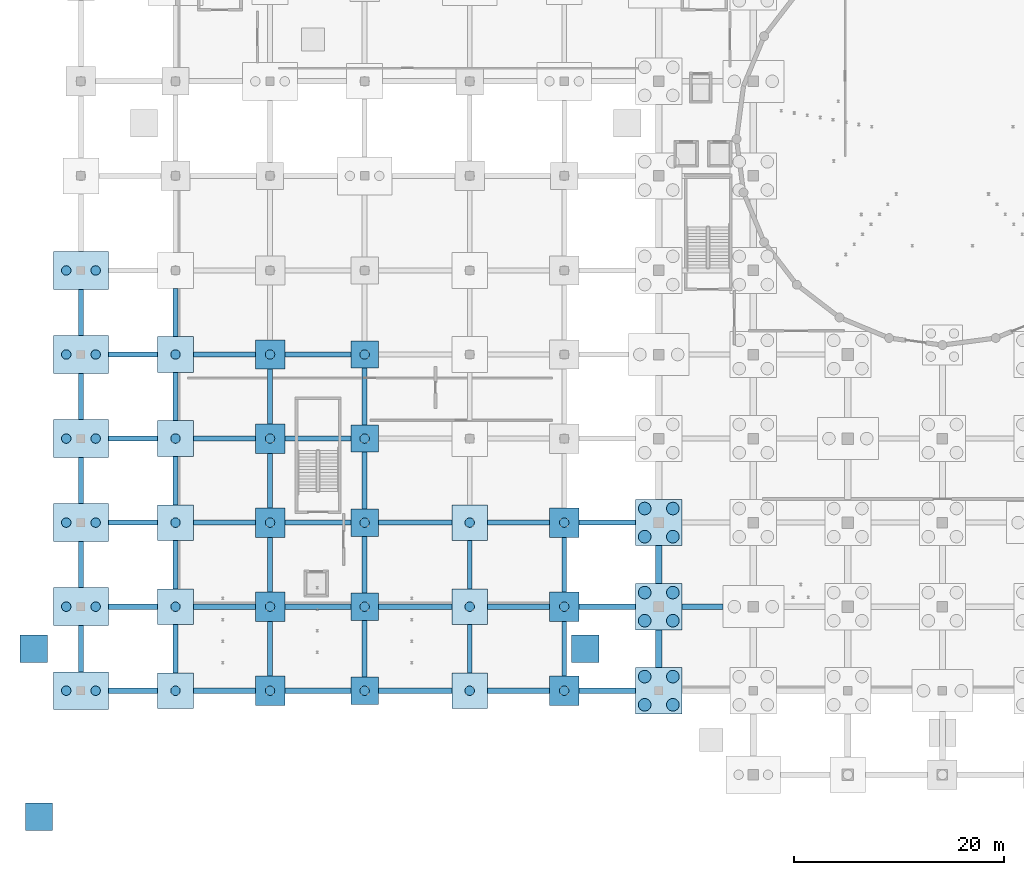
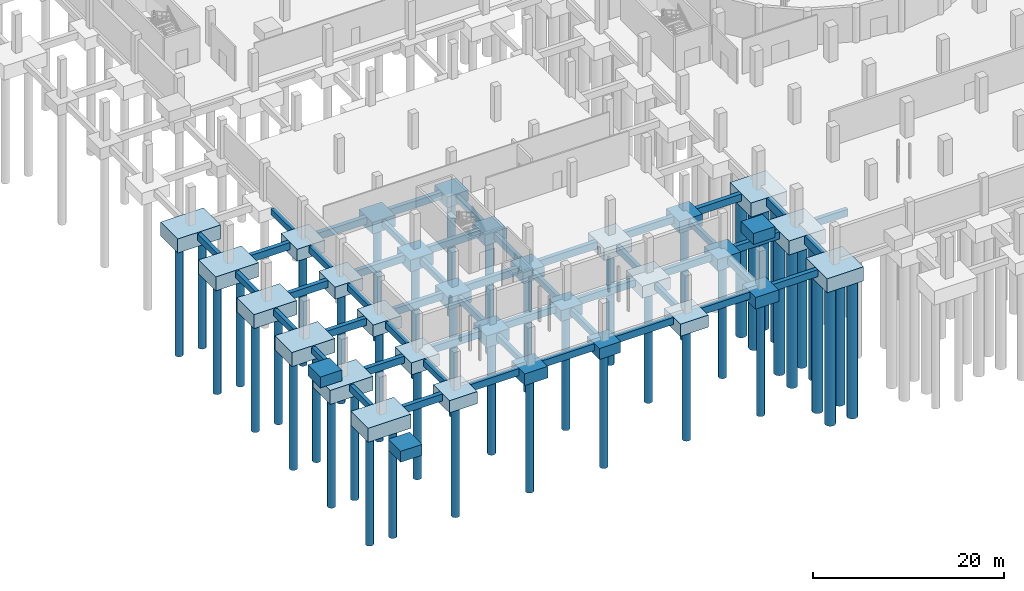
# One storey, part 1 of 40: 82 footings, 45 piles.
"""IFC4 building model written with IfcOpenShell, lengths in metres."""

from ifc_helpers import new_model, si_unit, direction, frame, origin, origin_2d, place, context, subcontext, project, spatial, rectangle, circle, extrude, material, layer, layer_set, material_profile, profile_set, type_object, element, save


model = new_model("IFC4")

# Units and contexts
model_context = context("Model", 3, precision=1e-05, world=origin(), true_north=direction((0.0, 1.0)))
body_context = subcontext(model_context, "Body", "Model", "MODEL_VIEW")
ifc_project = project(units=[si_unit("LENGTHUNIT", "METRE"), si_unit("AREAUNIT", "SQUARE_METRE"), si_unit("VOLUMEUNIT", "CUBIC_METRE"), si_unit("PLANEANGLEUNIT", "RADIAN"), si_unit("MASSUNIT", "GRAM", prefix="KILO")], contexts=[model_context])

# Site, building, storey
site_placement = place(None, origin())
site = spatial("IfcSite", under=ifc_project, at=site_placement, CompositionType="ELEMENT")
building_placement = place(site_placement, origin())
building = spatial("IfcBuilding", under=site, at=building_placement, Name="Marnock Terrace Opera House", CompositionType="ELEMENT")
storey_placement = place(building_placement, frame((0.0, 0.0, -4.800048828125)))
storey = spatial("IfcBuildingStorey", under=building, at=storey_placement, Name="B1", CompositionType="ELEMENT", Elevation=-4.800048828125)

# Footings
ifc_material = material(Name="Concrete N40 (f'c = 40 MPa)", Category="concrete")
ifc_layer_1 = layer(ifc_material, 1.39990234375)
ifc_layer_set_1 = layer_set([ifc_layer_1], Name="Concrete N40 (f'c = 40 MPa)")
footing_type_1 = type_object("IfcFootingType", Name="FT-CAP-2600", PredefinedType="PILE_CAP", material=ifc_layer_set_1)
for number, where, z_axis, x_axis, name in (
    (1, (27.0, 8.0, -1.7998046875), (0.0, 0.0, 1.0), (1.0, 0.0, 0.0), "Pile cap FT-CAP-040"),
    (2, (27.0, 16.0, -1.7998046875), (0.0, 0.0, 1.0), (1.0, 0.0, 0.0), "Pile cap FT-CAP-041"),
    (3, (27.0, 24.0, -1.7998046875), (0.0, 0.0, 1.0), (1.0, 0.0, 0.0), "Pile cap FT-CAP-042"),
    (4, (27.0, 32.0, -1.7998046875), (0.0, 0.0, 1.0), (1.0, 0.0, 0.0), "Pile cap FT-CAP-043"),
    (5, (27.0, 40.0, -1.7998046875), (0.0, 0.0, 1.0), (1.0, 0.0, 0.0), "Pile cap FT-CAP-044"),
):
    element("IfcFooting", number, at=place(storey_placement, frame(where, z_axis=z_axis, x_axis=x_axis)), inside=storey, type_object=footing_type_1, Name=name, PredefinedType="PILE_CAP", context=body_context, shape_type="SweptSolid", body=[
        extrude(rectangle(XDim=2.60009765625, YDim=2.60009765625, at=origin_2d()), origin(), (0.0, 0.0, 1.0), 1.39990234375),
    ])
ifc_layer_2 = layer(ifc_material, 1.5)
ifc_layer_set_2 = layer_set([ifc_layer_2], Name="Concrete N40 (f'c = 40 MPa)")
footing_type_2 = type_object("IfcFootingType", Name="FT-CAP-2800", PredefinedType="PILE_CAP", material=ifc_layer_set_2)
for number, where, z_axis, x_axis, name in (
    (6, (18.0, 8.0, -1.89990234375), (0.0, 0.0, 1.0), (1.0, 0.0, 0.0), "Pile cap FT-CAP-027"),
    (7, (18.0, 16.0, -1.89990234375), (0.0, 0.0, 1.0), (1.0, 0.0, 0.0), "Pile cap FT-CAP-028"),
    (8, (18.0, 24.0, -1.89990234375), (0.0, 0.0, 1.0), (1.0, 0.0, 0.0), "Pile cap FT-CAP-029"),
    (9, (18.0, 32.0, -1.89990234375), (0.0, 0.0, 1.0), (1.0, 0.0, 0.0), "Pile cap FT-CAP-030"),
    (10, (18.0, 40.0, -1.89990234375), (0.0, 0.0, 1.0), (1.0, 0.0, 0.0), "Pile cap FT-CAP-031"),
    (11, (46.0, 8.0, -1.89990234375), (0.0, 0.0, 1.0), (1.0, 0.0, 0.0), "Pile cap FT-CAP-064"),
    (12, (46.0, 16.0, -1.89990234375), (0.0, 0.0, 1.0), (1.0, 0.0, 0.0), "Pile cap FT-CAP-065"),
    (13, (46.0, 24.0, -1.89990234375), (0.0, 0.0, 1.0), (1.0, 0.0, 0.0), "Pile cap FT-CAP-066"),
):
    element("IfcFooting", number, at=place(storey_placement, frame(where, z_axis=z_axis, x_axis=x_axis)), inside=storey, type_object=footing_type_2, Name=name, PredefinedType="PILE_CAP", context=body_context, shape_type="SweptSolid", body=[
        extrude(rectangle(XDim=2.800048828125, YDim=2.800048828125, at=origin_2d()), origin(), (0.0, 0.0, 1.0), 1.5),
    ])
ifc_layer_3 = layer(ifc_material, 1.550048828125)
ifc_layer_set_3 = layer_set([ifc_layer_3], Name="Concrete N40 (f'c = 40 MPa)")
footing_type_3 = type_object("IfcFootingType", Name="FT-CAP-3400", PredefinedType="PILE_CAP", material=ifc_layer_set_3)
for number, where, z_axis, x_axis, name in (
    (14, (9.0, 8.0, -1.9501953125), (0.0, 0.0, 1.0), (1.0, 0.0, 0.0), "Pile cap FT-CAP-014"),
    (15, (9.0, 16.0, -1.9501953125), (0.0, 0.0, 1.0), (1.0, 0.0, 0.0), "Pile cap FT-CAP-015"),
    (16, (9.0, 24.0, -1.9501953125), (0.0, 0.0, 1.0), (1.0, 0.0, 0.0), "Pile cap FT-CAP-016"),
    (17, (9.0, 32.0, -1.9501953125), (0.0, 0.0, 1.0), (1.0, 0.0, 0.0), "Pile cap FT-CAP-017"),
    (18, (9.0, 40.0, -1.9501953125), (0.0, 0.0, 1.0), (1.0, 0.0, 0.0), "Pile cap FT-CAP-018"),
    (19, (37.0, 8.0, -1.9501953125), (0.0, 0.0, 1.0), (1.0, 0.0, 0.0), "Pile cap FT-CAP-052"),
    (20, (37.0, 16.0, -1.9501953125), (0.0, 0.0, 1.0), (1.0, 0.0, 0.0), "Pile cap FT-CAP-053"),
    (21, (37.0, 24.0, -1.9501953125), (0.0, 0.0, 1.0), (1.0, 0.0, 0.0), "Pile cap FT-CAP-054"),
):
    element("IfcFooting", number, at=place(storey_placement, frame(where, z_axis=z_axis, x_axis=x_axis)), inside=storey, type_object=footing_type_3, Name=name, PredefinedType="PILE_CAP", context=body_context, shape_type="SweptSolid", body=[
        extrude(rectangle(XDim=3.39990234375, YDim=3.39990234375, at=origin_2d()), origin(), (0.0, 0.0, 1.0), 1.550048828125),
    ])
ifc_layer_4 = layer(ifc_material, 1.800048828125)
ifc_layer_set_4 = layer_set([ifc_layer_4], Name="Concrete N40 (f'c = 40 MPa)")
footing_type_4 = type_object("IfcFootingType", Name="FT-CAP-4400", PredefinedType="PILE_CAP", material=ifc_layer_set_4)
for number, where, z_axis, x_axis, name in (
    (22, (55.0, 8.0, -2.2001953125), (0.0, 0.0, 1.0), (1.0, 0.0, 0.0), "Pile cap FT-CAP-077"),
    (23, (55.0, 16.0, -2.2001953125), (0.0, 0.0, 1.0), (1.0, 0.0, 0.0), "Pile cap FT-CAP-078"),
    (24, (55.0, 24.0, -2.2001953125), (0.0, 0.0, 1.0), (1.0, 0.0, 0.0), "Pile cap FT-CAP-079"),
):
    element("IfcFooting", number, at=place(storey_placement, frame(where, z_axis=z_axis, x_axis=x_axis)), inside=storey, type_object=footing_type_4, Name=name, PredefinedType="PILE_CAP", context=body_context, shape_type="SweptSolid", body=[
        extrude(rectangle(XDim=4.39990234375, YDim=4.39990234375, at=origin_2d()), origin(), (0.0, 0.0, 1.0), 1.800048828125),
    ])
ifc_layer_5 = layer(ifc_material, 1.800048828125)
ifc_layer_set_5 = layer_set([ifc_layer_5], Name="Concrete N40 (f'c = 40 MPa)")
footing_type_5 = type_object("IfcFootingType", Name="FT-CAP-5200", PredefinedType="PILE_CAP", material=ifc_layer_set_5)
for number, where, z_axis, x_axis, name in (
    (25, (0.0, 8.0, -2.2001953125), (0.0, 0.0, 1.0), (1.0, 0.0, 0.0), "Pile cap FT-CAP-001"),
    (26, (0.0, 16.0, -2.2001953125), (0.0, 0.0, 1.0), (1.0, 0.0, 0.0), "Pile cap FT-CAP-002"),
    (27, (0.0, 24.0, -2.2001953125), (0.0, 0.0, 1.0), (1.0, 0.0, 0.0), "Pile cap FT-CAP-003"),
    (28, (0.0, 32.0, -2.2001953125), (0.0, 0.0, 1.0), (1.0, 0.0, 0.0), "Pile cap FT-CAP-004"),
    (29, (0.0, 40.0, -2.2001953125), (0.0, 0.0, 1.0), (1.0, 0.0, 0.0), "Pile cap FT-CAP-005"),
    (30, (0.0, 48.0, -2.2001953125), (0.0, 0.0, 1.0), (1.0, 0.0, 0.0), "Pile cap FT-CAP-006"),
):
    element("IfcFooting", number, at=place(storey_placement, frame(where, z_axis=z_axis, x_axis=x_axis)), inside=storey, type_object=footing_type_5, Name=name, PredefinedType="PILE_CAP", context=body_context, shape_type="SweptSolid", body=[
        extrude(rectangle(XDim=5.199951171875, YDim=3.60009765625, at=origin_2d()), origin(), (0.0, 0.0, 1.0), 1.800048828125),
    ])
ifc_material_profile_1 = material_profile(ifc_material, rectangle(XDim=0.449951171875, YDim=0.800048828125, at=origin_2d()))
ifc_profile_set_1 = profile_set([ifc_material_profile_1], Name="Concrete N40 (f'c = 40 MPa)")
footing_type_6 = type_object("IfcFootingType", Name="FT-GB-450", PredefinedType="FOOTING_BEAM", material=ifc_profile_set_1)
for number, where, z_axis, x_axis, name in (
    (31, (0.0, 9.800048828125, -0.949951171875), (0.0, 1.0, 0.0), (-1.0, 0.0, 0.0), "Ground tie beam Y-1"),
    (32, (0.0, 17.800048828125, -0.949951171875), (0.0, 1.0, 0.0), (-1.0, 0.0, 0.0), "Ground tie beam Y-2"),
    (33, (0.0, 25.800048828125, -0.949951171875), (0.0, 1.0, 0.0), (-1.0, 0.0, 0.0), "Ground tie beam Y-3"),
    (34, (0.0, 33.800048828125, -0.949951171875), (0.0, 1.0, 0.0), (-1.0, 0.0, 0.0), "Ground tie beam Y-4"),
    (35, (0.0, 41.800048828125, -0.949951171875), (0.0, 1.0, 0.0), (-1.0, 0.0, 0.0), "Ground tie beam Y-5"),
):
    element("IfcFooting", number, at=place(storey_placement, frame(where, z_axis=z_axis, x_axis=x_axis)), inside=storey, type_object=footing_type_6, Name=name, PredefinedType="FOOTING_BEAM", context=body_context, shape_type="SweptSolid", body=[
        extrude(rectangle(XDim=0.449951171875, YDim=0.800048828125, at=origin_2d()), origin(), (0.0, 0.0, 1.0), 4.39990234375),
    ])
for number, where, z_axis, x_axis, name in (
    (36, (9.0, 9.699951171875, -0.949951171875), (0.0, 1.0, 0.0), (-1.0, 0.0, 0.0), "Ground tie beam Y-13"),
    (37, (9.0, 17.699951171875, -0.949951171875), (0.0, 1.0, 0.0), (-1.0, 0.0, 0.0), "Ground tie beam Y-14"),
    (38, (9.0, 25.699951171875, -0.949951171875), (0.0, 1.0, 0.0), (-1.0, 0.0, 0.0), "Ground tie beam Y-15"),
    (39, (9.0, 33.699951171875, -0.949951171875), (0.0, 1.0, 0.0), (-1.0, 0.0, 0.0), "Ground tie beam Y-16"),
    (40, (9.0, 41.699951171875, -0.949951171875), (0.0, 1.0, 0.0), (-1.0, 0.0, 0.0), "Ground tie beam Y-17"),
):
    element("IfcFooting", number, at=place(storey_placement, frame(where, z_axis=z_axis, x_axis=x_axis)), inside=storey, type_object=footing_type_6, Name=name, PredefinedType="FOOTING_BEAM", context=body_context, shape_type="SweptSolid", body=[
        extrude(rectangle(XDim=0.449951171875, YDim=0.800048828125, at=origin_2d()), origin(), (0.0, 0.0, 1.0), 4.60009765625),
    ])
for number, where, z_axis, x_axis, name in (
    (41, (18.0, 9.39990234375, -0.949951171875), (0.0, 1.0, 0.0), (-1.0, 0.0, 0.0), "Ground tie beam Y-25"),
    (42, (18.0, 17.39990234375, -0.949951171875), (0.0, 1.0, 0.0), (-1.0, 0.0, 0.0), "Ground tie beam Y-26"),
    (43, (18.0, 25.39990234375, -0.949951171875), (0.0, 1.0, 0.0), (-1.0, 0.0, 0.0), "Ground tie beam Y-27"),
    (44, (18.0, 33.39990234375, -0.949951171875), (0.0, 1.0, 0.0), (-1.0, 0.0, 0.0), "Ground tie beam Y-28"),
):
    element("IfcFooting", number, at=place(storey_placement, frame(where, z_axis=z_axis, x_axis=x_axis)), inside=storey, type_object=footing_type_6, Name=name, PredefinedType="FOOTING_BEAM", context=body_context, shape_type="SweptSolid", body=[
        extrude(rectangle(XDim=0.449951171875, YDim=0.800048828125, at=origin_2d()), origin(), (0.0, 0.0, 1.0), 5.2001953125),
    ])
for number, where, z_axis, x_axis, name in (
    (45, (27.0, 9.300048828125, -0.949951171875), (0.0, 1.0, 0.0), (-1.0, 0.0, 0.0), "Ground tie beam Y-37"),
    (46, (27.0, 17.300048828125, -0.949951171875), (0.0, 1.0, 0.0), (-1.0, 0.0, 0.0), "Ground tie beam Y-38"),
    (47, (27.0, 25.300048828125, -0.949951171875), (0.0, 1.0, 0.0), (-1.0, 0.0, 0.0), "Ground tie beam Y-39"),
    (48, (27.0, 33.300048828125, -0.949951171875), (0.0, 1.0, 0.0), (-1.0, 0.0, 0.0), "Ground tie beam Y-40"),
):
    element("IfcFooting", number, at=place(storey_placement, frame(where, z_axis=z_axis, x_axis=x_axis)), inside=storey, type_object=footing_type_6, Name=name, PredefinedType="FOOTING_BEAM", context=body_context, shape_type="SweptSolid", body=[
        extrude(rectangle(XDim=0.449951171875, YDim=0.800048828125, at=origin_2d()), origin(), (0.0, 0.0, 1.0), 5.39990234375),
    ])
for number, where, z_axis, x_axis, name in (
    (49, (37.0, 9.699951171875, -0.949951171875), (0.0, 1.0, 0.0), (-1.0, 0.0, 0.0), "Ground tie beam Y-47"),
    (50, (37.0, 17.699951171875, -0.949951171875), (0.0, 1.0, 0.0), (-1.0, 0.0, 0.0), "Ground tie beam Y-48"),
):
    element("IfcFooting", number, at=place(storey_placement, frame(where, z_axis=z_axis, x_axis=x_axis)), inside=storey, type_object=footing_type_6, Name=name, PredefinedType="FOOTING_BEAM", context=body_context, shape_type="SweptSolid", body=[
        extrude(rectangle(XDim=0.449951171875, YDim=0.800048828125, at=origin_2d()), origin(), (0.0, 0.0, 1.0), 4.60009765625),
    ])
for number, where, z_axis, x_axis, name in (
    (51, (46.0, 9.39990234375, -0.949951171875), (0.0, 1.0, 0.0), (-1.0, 0.0, 0.0), "Ground tie beam Y-57"),
    (52, (46.0, 17.39990234375, -0.949951171875), (0.0, 1.0, 0.0), (-1.0, 0.0, 0.0), "Ground tie beam Y-58"),
):
    element("IfcFooting", number, at=place(storey_placement, frame(where, z_axis=z_axis, x_axis=x_axis)), inside=storey, type_object=footing_type_6, Name=name, PredefinedType="FOOTING_BEAM", context=body_context, shape_type="SweptSolid", body=[
        extrude(rectangle(XDim=0.449951171875, YDim=0.800048828125, at=origin_2d()), origin(), (0.0, 0.0, 1.0), 5.2001953125),
    ])
ifc_material_profile_2 = material_profile(ifc_material, rectangle(XDim=0.5, YDim=0.89990234375, at=origin_2d()))
ifc_profile_set_2 = profile_set([ifc_material_profile_2], Name="Concrete N40 (f'c = 40 MPa)")
footing_type_7 = type_object("IfcFootingType", Name="FT-GB-500", PredefinedType="FOOTING_BEAM", material=ifc_profile_set_2)
footing_1_placement = place(storey_placement, frame((2.60009765625, 8.0, -0.849853515625), z_axis=(1.0, 0.0, 0.0), x_axis=(0.0, 1.0, 0.0)))
element("IfcFooting", 53, at=footing_1_placement, inside=storey, type_object=footing_type_7, Name="Ground tie beam X-197", PredefinedType="FOOTING_BEAM", context=body_context, shape_type="SweptSolid", body=[
    extrude(rectangle(XDim=0.5, YDim=0.89990234375, at=origin_2d()), origin(), (0.0, 0.0, 1.0), 4.699951171875),
])
footing_2_placement = place(storey_placement, frame((10.699951171875, 8.0, -0.849853515625), z_axis=(1.0, 0.0, 0.0), x_axis=(0.0, 1.0, 0.0)))
element("IfcFooting", 54, at=footing_2_placement, inside=storey, type_object=footing_type_7, Name="Ground tie beam X-198", PredefinedType="FOOTING_BEAM", context=body_context, shape_type="SweptSolid", body=[
    extrude(rectangle(XDim=0.5, YDim=0.89990234375, at=origin_2d()), origin(), (0.0, 0.0, 1.0), 5.900146484375),
])
footing_3_placement = place(storey_placement, frame((19.39990234375, 8.0, -0.849853515625), z_axis=(1.0, 0.0, 0.0), x_axis=(0.0, 1.0, 0.0)))
element("IfcFooting", 55, at=footing_3_placement, inside=storey, type_object=footing_type_7, Name="Ground tie beam X-199", PredefinedType="FOOTING_BEAM", context=body_context, shape_type="SweptSolid", body=[
    extrude(rectangle(XDim=0.5, YDim=0.89990234375, at=origin_2d()), origin(), (0.0, 0.0, 1.0), 6.300048828125),
])
footing_4_placement = place(storey_placement, frame((28.300048828125, 8.0, -0.849853515625), z_axis=(1.0, 0.0, 0.0), x_axis=(0.0, 1.0, 0.0)))
element("IfcFooting", 56, at=footing_4_placement, inside=storey, type_object=footing_type_7, Name="Ground tie beam X-200", PredefinedType="FOOTING_BEAM", context=body_context, shape_type="SweptSolid", body=[
    extrude(rectangle(XDim=0.5, YDim=0.89990234375, at=origin_2d()), origin(), (0.0, 0.0, 1.0), 7.0),
])
footing_5_placement = place(storey_placement, frame((38.699951171875, 8.0, -0.849853515625), z_axis=(1.0, 0.0, 0.0), x_axis=(0.0, 1.0, 0.0)))
element("IfcFooting", 57, at=footing_5_placement, inside=storey, type_object=footing_type_7, Name="Ground tie beam X-201", PredefinedType="FOOTING_BEAM", context=body_context, shape_type="SweptSolid", body=[
    extrude(rectangle(XDim=0.5, YDim=0.89990234375, at=origin_2d()), origin(), (0.0, 0.0, 1.0), 5.900146484375),
])
footing_6_placement = place(storey_placement, frame((47.39990234375, 8.0, -0.849853515625), z_axis=(1.0, 0.0, 0.0), x_axis=(0.0, 1.0, 0.0)))
element("IfcFooting", 58, at=footing_6_placement, inside=storey, type_object=footing_type_7, Name="Ground tie beam X-202", PredefinedType="FOOTING_BEAM", context=body_context, shape_type="SweptSolid", body=[
    extrude(rectangle(XDim=0.5, YDim=0.89990234375, at=origin_2d()), origin(), (0.0, 0.0, 1.0), 5.400146484375),
])
footing_7_placement = place(storey_placement, frame((2.60009765625, 16.0, -0.849853515625), z_axis=(1.0, 0.0, 0.0), x_axis=(0.0, 1.0, 0.0)))
element("IfcFooting", 59, at=footing_7_placement, inside=storey, type_object=footing_type_7, Name="Ground tie beam X-215", PredefinedType="FOOTING_BEAM", context=body_context, shape_type="SweptSolid", body=[
    extrude(rectangle(XDim=0.5, YDim=0.89990234375, at=origin_2d()), origin(), (0.0, 0.0, 1.0), 4.699951171875),
])
footing_8_placement = place(storey_placement, frame((10.699951171875, 16.0, -0.849853515625), z_axis=(1.0, 0.0, 0.0), x_axis=(0.0, 1.0, 0.0)))
element("IfcFooting", 60, at=footing_8_placement, inside=storey, type_object=footing_type_7, Name="Ground tie beam X-216", PredefinedType="FOOTING_BEAM", context=body_context, shape_type="SweptSolid", body=[
    extrude(rectangle(XDim=0.5, YDim=0.89990234375, at=origin_2d()), origin(), (0.0, 0.0, 1.0), 5.900146484375),
])
footing_9_placement = place(storey_placement, frame((19.39990234375, 16.0, -0.849853515625), z_axis=(1.0, 0.0, 0.0), x_axis=(0.0, 1.0, 0.0)))
element("IfcFooting", 61, at=footing_9_placement, inside=storey, type_object=footing_type_7, Name="Ground tie beam X-217", PredefinedType="FOOTING_BEAM", context=body_context, shape_type="SweptSolid", body=[
    extrude(rectangle(XDim=0.5, YDim=0.89990234375, at=origin_2d()), origin(), (0.0, 0.0, 1.0), 6.300048828125),
])
footing_10_placement = place(storey_placement, frame((28.300048828125, 16.0, -0.849853515625), z_axis=(1.0, 0.0, 0.0), x_axis=(0.0, 1.0, 0.0)))
element("IfcFooting", 62, at=footing_10_placement, inside=storey, type_object=footing_type_7, Name="Ground tie beam X-218", PredefinedType="FOOTING_BEAM", context=body_context, shape_type="SweptSolid", body=[
    extrude(rectangle(XDim=0.5, YDim=0.89990234375, at=origin_2d()), origin(), (0.0, 0.0, 1.0), 7.0),
])
footing_11_placement = place(storey_placement, frame((38.699951171875, 16.0, -0.849853515625), z_axis=(1.0, 0.0, 0.0), x_axis=(0.0, 1.0, 0.0)))
element("IfcFooting", 63, at=footing_11_placement, inside=storey, type_object=footing_type_7, Name="Ground tie beam X-219", PredefinedType="FOOTING_BEAM", context=body_context, shape_type="SweptSolid", body=[
    extrude(rectangle(XDim=0.5, YDim=0.89990234375, at=origin_2d()), origin(), (0.0, 0.0, 1.0), 5.900146484375),
])
footing_12_placement = place(storey_placement, frame((47.39990234375, 16.0, -0.849853515625), z_axis=(1.0, 0.0, 0.0), x_axis=(0.0, 1.0, 0.0)))
element("IfcFooting", 64, at=footing_12_placement, inside=storey, type_object=footing_type_7, Name="Ground tie beam X-220", PredefinedType="FOOTING_BEAM", context=body_context, shape_type="SweptSolid", body=[
    extrude(rectangle(XDim=0.5, YDim=0.89990234375, at=origin_2d()), origin(), (0.0, 0.0, 1.0), 5.400146484375),
])
footing_13_placement = place(storey_placement, frame((57.199951171875, 16.0, -0.849853515625), z_axis=(1.0, 0.0, 0.0), x_axis=(0.0, 1.0, 0.0)))
element("IfcFooting", 65, at=footing_13_placement, inside=storey, type_object=footing_type_7, Name="Ground tie beam X-221", PredefinedType="FOOTING_BEAM", context=body_context, shape_type="SweptSolid", body=[
    extrude(rectangle(XDim=0.5, YDim=0.89990234375, at=origin_2d()), origin(), (0.0, 0.0, 1.0), 3.900146484375),
])
footing_14_placement = place(storey_placement, frame((2.60009765625, 24.0, -0.849853515625), z_axis=(1.0, 0.0, 0.0), x_axis=(0.0, 1.0, 0.0)))
element("IfcFooting", 66, at=footing_14_placement, inside=storey, type_object=footing_type_7, Name="Ground tie beam X-233", PredefinedType="FOOTING_BEAM", context=body_context, shape_type="SweptSolid", body=[
    extrude(rectangle(XDim=0.5, YDim=0.89990234375, at=origin_2d()), origin(), (0.0, 0.0, 1.0), 4.699951171875),
])
footing_15_placement = place(storey_placement, frame((10.699951171875, 24.0, -0.849853515625), z_axis=(1.0, 0.0, 0.0), x_axis=(0.0, 1.0, 0.0)))
element("IfcFooting", 67, at=footing_15_placement, inside=storey, type_object=footing_type_7, Name="Ground tie beam X-234", PredefinedType="FOOTING_BEAM", context=body_context, shape_type="SweptSolid", body=[
    extrude(rectangle(XDim=0.5, YDim=0.89990234375, at=origin_2d()), origin(), (0.0, 0.0, 1.0), 5.900146484375),
])
footing_16_placement = place(storey_placement, frame((19.39990234375, 24.0, -0.849853515625), z_axis=(1.0, 0.0, 0.0), x_axis=(0.0, 1.0, 0.0)))
element("IfcFooting", 68, at=footing_16_placement, inside=storey, type_object=footing_type_7, Name="Ground tie beam X-235", PredefinedType="FOOTING_BEAM", context=body_context, shape_type="SweptSolid", body=[
    extrude(rectangle(XDim=0.5, YDim=0.89990234375, at=origin_2d()), origin(), (0.0, 0.0, 1.0), 6.300048828125),
])
footing_17_placement = place(storey_placement, frame((28.300048828125, 24.0, -0.849853515625), z_axis=(1.0, 0.0, 0.0), x_axis=(0.0, 1.0, 0.0)))
element("IfcFooting", 69, at=footing_17_placement, inside=storey, type_object=footing_type_7, Name="Ground tie beam X-236", PredefinedType="FOOTING_BEAM", context=body_context, shape_type="SweptSolid", body=[
    extrude(rectangle(XDim=0.5, YDim=0.89990234375, at=origin_2d()), origin(), (0.0, 0.0, 1.0), 7.0),
])
footing_18_placement = place(storey_placement, frame((38.699951171875, 24.0, -0.849853515625), z_axis=(1.0, 0.0, 0.0), x_axis=(0.0, 1.0, 0.0)))
element("IfcFooting", 70, at=footing_18_placement, inside=storey, type_object=footing_type_7, Name="Ground tie beam X-237", PredefinedType="FOOTING_BEAM", context=body_context, shape_type="SweptSolid", body=[
    extrude(rectangle(XDim=0.5, YDim=0.89990234375, at=origin_2d()), origin(), (0.0, 0.0, 1.0), 5.900146484375),
])
footing_19_placement = place(storey_placement, frame((47.39990234375, 24.0, -0.849853515625), z_axis=(1.0, 0.0, 0.0), x_axis=(0.0, 1.0, 0.0)))
element("IfcFooting", 71, at=footing_19_placement, inside=storey, type_object=footing_type_7, Name="Ground tie beam X-238", PredefinedType="FOOTING_BEAM", context=body_context, shape_type="SweptSolid", body=[
    extrude(rectangle(XDim=0.5, YDim=0.89990234375, at=origin_2d()), origin(), (0.0, 0.0, 1.0), 5.400146484375),
])
footing_20_placement = place(storey_placement, frame((2.60009765625, 32.0, -0.849853515625), z_axis=(1.0, 0.0, 0.0), x_axis=(0.0, 1.0, 0.0)))
element("IfcFooting", 72, at=footing_20_placement, inside=storey, type_object=footing_type_7, Name="Ground tie beam X-251", PredefinedType="FOOTING_BEAM", context=body_context, shape_type="SweptSolid", body=[
    extrude(rectangle(XDim=0.5, YDim=0.89990234375, at=origin_2d()), origin(), (0.0, 0.0, 1.0), 4.699951171875),
])
footing_21_placement = place(storey_placement, frame((10.699951171875, 32.0, -0.849853515625), z_axis=(1.0, 0.0, 0.0), x_axis=(0.0, 1.0, 0.0)))
element("IfcFooting", 73, at=footing_21_placement, inside=storey, type_object=footing_type_7, Name="Ground tie beam X-252", PredefinedType="FOOTING_BEAM", context=body_context, shape_type="SweptSolid", body=[
    extrude(rectangle(XDim=0.5, YDim=0.89990234375, at=origin_2d()), origin(), (0.0, 0.0, 1.0), 5.900146484375),
])
footing_22_placement = place(storey_placement, frame((19.39990234375, 32.0, -0.849853515625), z_axis=(1.0, 0.0, 0.0), x_axis=(0.0, 1.0, 0.0)))
element("IfcFooting", 74, at=footing_22_placement, inside=storey, type_object=footing_type_7, Name="Ground tie beam X-253", PredefinedType="FOOTING_BEAM", context=body_context, shape_type="SweptSolid", body=[
    extrude(rectangle(XDim=0.5, YDim=0.89990234375, at=origin_2d()), origin(), (0.0, 0.0, 1.0), 6.300048828125),
])
footing_23_placement = place(storey_placement, frame((2.60009765625, 40.0, -0.849853515625), z_axis=(1.0, 0.0, 0.0), x_axis=(0.0, 1.0, 0.0)))
element("IfcFooting", 75, at=footing_23_placement, inside=storey, type_object=footing_type_7, Name="Ground tie beam X-269", PredefinedType="FOOTING_BEAM", context=body_context, shape_type="SweptSolid", body=[
    extrude(rectangle(XDim=0.5, YDim=0.89990234375, at=origin_2d()), origin(), (0.0, 0.0, 1.0), 4.699951171875),
])
footing_24_placement = place(storey_placement, frame((10.699951171875, 40.0, -0.849853515625), z_axis=(1.0, 0.0, 0.0), x_axis=(0.0, 1.0, 0.0)))
element("IfcFooting", 76, at=footing_24_placement, inside=storey, type_object=footing_type_7, Name="Ground tie beam X-270", PredefinedType="FOOTING_BEAM", context=body_context, shape_type="SweptSolid", body=[
    extrude(rectangle(XDim=0.5, YDim=0.89990234375, at=origin_2d()), origin(), (0.0, 0.0, 1.0), 5.900146484375),
])
footing_25_placement = place(storey_placement, frame((19.39990234375, 40.0, -0.849853515625), z_axis=(1.0, 0.0, 0.0), x_axis=(0.0, 1.0, 0.0)))
element("IfcFooting", 77, at=footing_25_placement, inside=storey, type_object=footing_type_7, Name="Ground tie beam X-271", PredefinedType="FOOTING_BEAM", context=body_context, shape_type="SweptSolid", body=[
    extrude(rectangle(XDim=0.5, YDim=0.89990234375, at=origin_2d()), origin(), (0.0, 0.0, 1.0), 6.300048828125),
])
ifc_material_profile_3 = material_profile(ifc_material, rectangle(XDim=0.60009765625, YDim=1.10009765625, at=origin_2d()))
ifc_profile_set_3 = profile_set([ifc_material_profile_3], Name="Concrete N40 (f'c = 40 MPa)")
footing_type_8 = type_object("IfcFootingType", Name="FT-GB-600", PredefinedType="FOOTING_BEAM", material=ifc_profile_set_3)
for number, where, z_axis, x_axis, name in (
    (78, (55.0, 10.199951171875, -0.949951171875), (0.0, 1.0, 0.0), (-1.0, 0.0, 0.0), "Ground tie beam Y-69"),
    (79, (55.0, 18.199951171875, -0.949951171875), (0.0, 1.0, 0.0), (-1.0, 0.0, 0.0), "Ground tie beam Y-70"),
):
    element("IfcFooting", number, at=place(storey_placement, frame(where, z_axis=z_axis, x_axis=x_axis)), inside=storey, type_object=footing_type_8, Name=name, PredefinedType="FOOTING_BEAM", context=body_context, shape_type="SweptSolid", body=[
        extrude(rectangle(XDim=0.60009765625, YDim=1.10009765625, at=origin_2d()), origin(), (0.0, 0.0, 1.0), 3.60009765625),
    ])
ifc_layer_6 = layer(ifc_material, 1.39990234375)
ifc_layer_set_6 = layer_set([ifc_layer_6], Name="Concrete N40 (f'c = 40 MPa)")
footing_type_9 = type_object("IfcFootingType", Name="FT-PAD-2600", PredefinedType="PAD_FOOTING", material=ifc_layer_set_6)
for number, where, z_axis, x_axis, name in (
    (80, (-4.0, -4.0, 3.16015625), (0.0, 0.0, 1.0), (1.0, 0.0, 0.0), "Upper-terrace grade pad footing FT-APR-S1"),
    (81, (-4.5, 12.0, 3.16015625), (0.0, 0.0, 1.0), (1.0, 0.0, 0.0), "Upper-terrace grade pad footing FT-APR-DK1"),
    (82, (48.0, 12.0, 3.16015625), (0.0, 0.0, 1.0), (1.0, 0.0, 0.0), "Upper-terrace grade pad footing FT-APR-CW1"),
):
    element("IfcFooting", number, at=place(storey_placement, frame(where, z_axis=z_axis, x_axis=x_axis)), inside=storey, type_object=footing_type_9, Name=name, PredefinedType="PAD_FOOTING", context=body_context, shape_type="SweptSolid", body=[
        extrude(rectangle(XDim=2.60009765625, YDim=2.60009765625, at=origin_2d()), origin(), (0.0, 0.0, 1.0), 1.39990234375),
    ])

# Piles
ifc_material_profile_4 = material_profile(ifc_material, circle(Radius=0.6005859375, at=origin_2d()))
ifc_profile_set_4 = profile_set([ifc_material_profile_4], Name="Concrete N40 (f'c = 40 MPa)")
pile_type_1 = type_object("IfcPileType", Name="PILE-CFA-1200", PredefinedType="BORED", material=ifc_profile_set_4)
for number, where, z_axis, x_axis, name in (
    (83, (53.659912109375, 6.659912109375, -2.099853515625), (0.0, 0.0, -1.0), (1.0, 0.0, 0.0), "Bored CFA pile 77.1"),
    (84, (56.340087890625, 6.659912109375, -2.099853515625), (0.0, 0.0, -1.0), (1.0, 0.0, 0.0), "Bored CFA pile 77.2"),
    (85, (53.659912109375, 9.340087890625, -2.099853515625), (0.0, 0.0, -1.0), (1.0, 0.0, 0.0), "Bored CFA pile 77.3"),
    (86, (56.340087890625, 9.340087890625, -2.099853515625), (0.0, 0.0, -1.0), (1.0, 0.0, 0.0), "Bored CFA pile 77.4"),
    (87, (53.659912109375, 14.659912109375, -2.099853515625), (0.0, 0.0, -1.0), (1.0, 0.0, 0.0), "Bored CFA pile 78.1"),
    (88, (56.340087890625, 14.659912109375, -2.099853515625), (0.0, 0.0, -1.0), (1.0, 0.0, 0.0), "Bored CFA pile 78.2"),
    (89, (53.659912109375, 17.340087890625, -2.099853515625), (0.0, 0.0, -1.0), (1.0, 0.0, 0.0), "Bored CFA pile 78.3"),
    (90, (56.340087890625, 17.340087890625, -2.099853515625), (0.0, 0.0, -1.0), (1.0, 0.0, 0.0), "Bored CFA pile 78.4"),
    (91, (53.659912109375, 22.659912109375, -2.099853515625), (0.0, 0.0, -1.0), (1.0, 0.0, 0.0), "Bored CFA pile 79.1"),
    (92, (56.340087890625, 22.659912109375, -2.099853515625), (0.0, 0.0, -1.0), (1.0, 0.0, 0.0), "Bored CFA pile 79.2"),
    (93, (53.659912109375, 25.340087890625, -2.099853515625), (0.0, 0.0, -1.0), (1.0, 0.0, 0.0), "Bored CFA pile 79.3"),
    (94, (56.340087890625, 25.340087890625, -2.099853515625), (0.0, 0.0, -1.0), (1.0, 0.0, 0.0), "Bored CFA pile 79.4"),
):
    element("IfcPile", number, at=place(storey_placement, frame(where, z_axis=z_axis, x_axis=x_axis)), inside=storey, type_object=pile_type_1, Name=name, PredefinedType="BORED", context=body_context, shape_type="SweptSolid", body=[
        extrude(circle(Radius=0.6005859375, at=origin_2d()), origin(), (0.0, 0.0, 1.0), 17.60009765625),
    ])
ifc_material_profile_5 = material_profile(ifc_material, circle(Radius=0.449951171875, at=origin_2d()))
ifc_profile_set_5 = profile_set([ifc_material_profile_5], Name="Concrete N40 (f'c = 40 MPa)")
pile_type_2 = type_object("IfcPileType", Name="PILE-CFA-900", PredefinedType="BORED", material=ifc_profile_set_5)
for number, where, z_axis, x_axis, name in (
    (95, (-1.39990234375, 8.0, -2.099853515625), (0.0, 0.0, -1.0), (1.0, 0.0, 0.0), "Bored CFA pile 1.1"),
    (96, (1.39990234375, 8.0, -2.099853515625), (0.0, 0.0, -1.0), (1.0, 0.0, 0.0), "Bored CFA pile 1.2"),
    (97, (-1.39990234375, 16.0, -2.099853515625), (0.0, 0.0, -1.0), (1.0, 0.0, 0.0), "Bored CFA pile 2.1"),
    (98, (1.39990234375, 16.0, -2.099853515625), (0.0, 0.0, -1.0), (1.0, 0.0, 0.0), "Bored CFA pile 2.2"),
    (99, (-1.39990234375, 24.0, -2.099853515625), (0.0, 0.0, -1.0), (1.0, 0.0, 0.0), "Bored CFA pile 3.1"),
    (100, (1.39990234375, 24.0, -2.099853515625), (0.0, 0.0, -1.0), (1.0, 0.0, 0.0), "Bored CFA pile 3.2"),
    (101, (-1.39990234375, 32.0, -2.099853515625), (0.0, 0.0, -1.0), (1.0, 0.0, 0.0), "Bored CFA pile 4.1"),
    (102, (1.39990234375, 32.0, -2.099853515625), (0.0, 0.0, -1.0), (1.0, 0.0, 0.0), "Bored CFA pile 4.2"),
    (103, (-1.39990234375, 40.0, -2.099853515625), (0.0, 0.0, -1.0), (1.0, 0.0, 0.0), "Bored CFA pile 5.1"),
    (104, (1.39990234375, 40.0, -2.099853515625), (0.0, 0.0, -1.0), (1.0, 0.0, 0.0), "Bored CFA pile 5.2"),
    (105, (-1.39990234375, 48.0, -2.099853515625), (0.0, 0.0, -1.0), (1.0, 0.0, 0.0), "Bored CFA pile 6.1"),
    (106, (1.39990234375, 48.0, -2.099853515625), (0.0, 0.0, -1.0), (1.0, 0.0, 0.0), "Bored CFA pile 6.2"),
):
    element("IfcPile", number, at=place(storey_placement, frame(where, z_axis=z_axis, x_axis=x_axis)), inside=storey, type_object=pile_type_2, Name=name, PredefinedType="BORED", context=body_context, shape_type="SweptSolid", body=[
        extrude(circle(Radius=0.449951171875, at=origin_2d()), origin(), (0.0, 0.0, 1.0), 14.60009765625),
    ])
for number, where, z_axis, x_axis, name in (
    (107, (9.0, 8.0, -1.849853515625), (0.0, 0.0, -1.0), (1.0, 0.0, 0.0), "Bored CFA pile 14.1"),
    (108, (9.0, 16.0, -1.849853515625), (0.0, 0.0, -1.0), (1.0, 0.0, 0.0), "Bored CFA pile 15.1"),
    (109, (9.0, 24.0, -1.849853515625), (0.0, 0.0, -1.0), (1.0, 0.0, 0.0), "Bored CFA pile 16.1"),
    (110, (9.0, 32.0, -1.849853515625), (0.0, 0.0, -1.0), (1.0, 0.0, 0.0), "Bored CFA pile 17.1"),
    (111, (9.0, 40.0, -1.849853515625), (0.0, 0.0, -1.0), (1.0, 0.0, 0.0), "Bored CFA pile 18.1"),
):
    element("IfcPile", number, at=place(storey_placement, frame(where, z_axis=z_axis, x_axis=x_axis)), inside=storey, type_object=pile_type_2, Name=name, PredefinedType="BORED", context=body_context, shape_type="SweptSolid", body=[
        extrude(circle(Radius=0.449951171875, at=origin_2d()), origin(), (0.0, 0.0, 1.0), 14.85009765625),
    ])
for number, where, z_axis, x_axis, name in (
    (112, (18.0, 8.0, -1.800048828125), (0.0, 0.0, -1.0), (1.0, 0.0, 0.0), "Bored CFA pile 27.1"),
    (113, (18.0, 16.0, -1.800048828125), (0.0, 0.0, -1.0), (1.0, 0.0, 0.0), "Bored CFA pile 28.1"),
    (114, (18.0, 24.0, -1.800048828125), (0.0, 0.0, -1.0), (1.0, 0.0, 0.0), "Bored CFA pile 29.1"),
    (115, (18.0, 32.0, -1.800048828125), (0.0, 0.0, -1.0), (1.0, 0.0, 0.0), "Bored CFA pile 30.1"),
    (116, (18.0, 40.0, -1.800048828125), (0.0, 0.0, -1.0), (1.0, 0.0, 0.0), "Bored CFA pile 31.1"),
):
    element("IfcPile", number, at=place(storey_placement, frame(where, z_axis=z_axis, x_axis=x_axis)), inside=storey, type_object=pile_type_2, Name=name, PredefinedType="BORED", context=body_context, shape_type="SweptSolid", body=[
        extrude(circle(Radius=0.449951171875, at=origin_2d()), origin(), (0.0, 0.0, 1.0), 14.89990234375),
    ])
for number, where, z_axis, x_axis, name in (
    (117, (27.0, 8.0, -1.699951171875), (0.0, 0.0, -1.0), (1.0, 0.0, 0.0), "Bored CFA pile 40.1"),
    (118, (27.0, 16.0, -1.699951171875), (0.0, 0.0, -1.0), (1.0, 0.0, 0.0), "Bored CFA pile 41.1"),
    (119, (27.0, 24.0, -1.699951171875), (0.0, 0.0, -1.0), (1.0, 0.0, 0.0), "Bored CFA pile 42.1"),
    (120, (27.0, 32.0, -1.699951171875), (0.0, 0.0, -1.0), (1.0, 0.0, 0.0), "Bored CFA pile 43.1"),
    (121, (27.0, 40.0, -1.699951171875), (0.0, 0.0, -1.0), (1.0, 0.0, 0.0), "Bored CFA pile 44.1"),
):
    element("IfcPile", number, at=place(storey_placement, frame(where, z_axis=z_axis, x_axis=x_axis)), inside=storey, type_object=pile_type_2, Name=name, PredefinedType="BORED", context=body_context, shape_type="SweptSolid", body=[
        extrude(circle(Radius=0.449951171875, at=origin_2d()), origin(), (0.0, 0.0, 1.0), 15.0),
    ])
for number, where, z_axis, x_axis, name in (
    (122, (37.0, 8.0, -1.849853515625), (0.0, 0.0, -1.0), (1.0, 0.0, 0.0), "Bored CFA pile 52.1"),
    (123, (37.0, 16.0, -1.849853515625), (0.0, 0.0, -1.0), (1.0, 0.0, 0.0), "Bored CFA pile 53.1"),
    (124, (37.0, 24.0, -1.849853515625), (0.0, 0.0, -1.0), (1.0, 0.0, 0.0), "Bored CFA pile 54.1"),
):
    element("IfcPile", number, at=place(storey_placement, frame(where, z_axis=z_axis, x_axis=x_axis)), inside=storey, type_object=pile_type_2, Name=name, PredefinedType="BORED", context=body_context, shape_type="SweptSolid", body=[
        extrude(circle(Radius=0.449951171875, at=origin_2d()), origin(), (0.0, 0.0, 1.0), 14.85009765625),
    ])
for number, where, z_axis, x_axis, name in (
    (125, (46.0, 8.0, -1.800048828125), (0.0, 0.0, -1.0), (1.0, 0.0, 0.0), "Bored CFA pile 64.1"),
    (126, (46.0, 16.0, -1.800048828125), (0.0, 0.0, -1.0), (1.0, 0.0, 0.0), "Bored CFA pile 65.1"),
    (127, (46.0, 24.0, -1.800048828125), (0.0, 0.0, -1.0), (1.0, 0.0, 0.0), "Bored CFA pile 66.1"),
):
    element("IfcPile", number, at=place(storey_placement, frame(where, z_axis=z_axis, x_axis=x_axis)), inside=storey, type_object=pile_type_2, Name=name, PredefinedType="BORED", context=body_context, shape_type="SweptSolid", body=[
        extrude(circle(Radius=0.449951171875, at=origin_2d()), origin(), (0.0, 0.0, 1.0), 14.89990234375),
    ])

save(model, "model.ifc")
